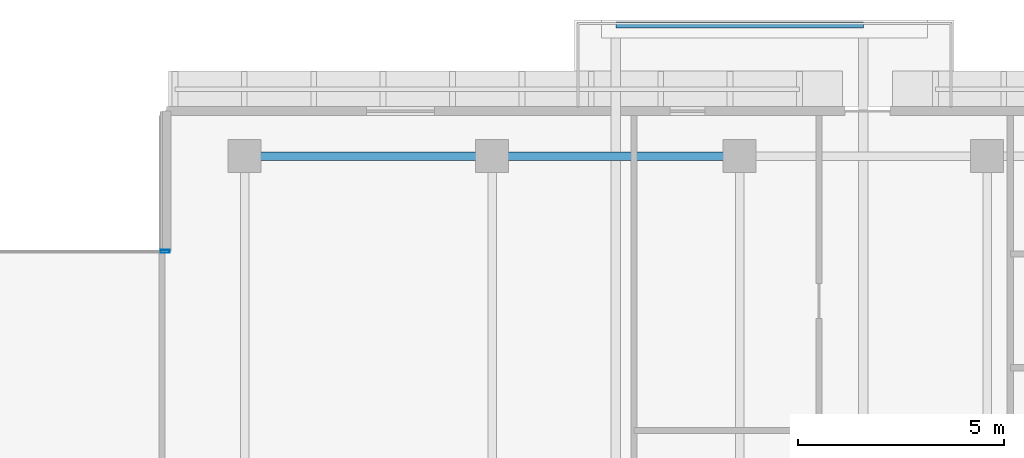
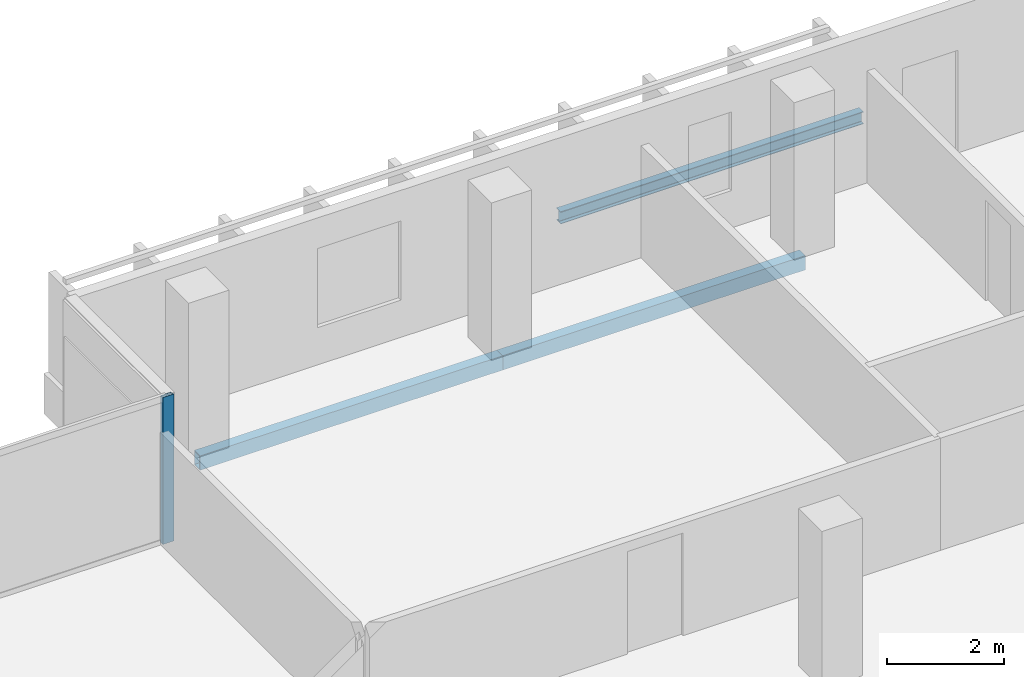
# One storey, part 8 of 22: 3 beams, 1 member, 1 element without a shape of its own.
"""IFC4 building model written with IfcOpenShell, lengths in metres."""

from ifc_helpers import new_model, si_unit, direction, frame, origin, origin_2d, place, context, subcontext, project, spatial, hollow_rectangle, i_section, extrude, material, layer, layer_set, material_profile, profile_set, type_object, element, aggregate, save


model = new_model("IFC4")

# Units and contexts
model_context = context("Model", 3, precision=1e-05, world=origin(), true_north=direction((0.0, 1.0)))
body_context = subcontext(model_context, "Body", "Model", "MODEL_VIEW")
ifc_project = project(units=[si_unit("LENGTHUNIT", "METRE"), si_unit("AREAUNIT", "SQUARE_METRE"), si_unit("VOLUMEUNIT", "CUBIC_METRE"), si_unit("PLANEANGLEUNIT", "RADIAN"), si_unit("MASSUNIT", "GRAM", prefix="KILO")], contexts=[model_context])

# Site, building, storey
site_placement = place(None, origin())
site = spatial("IfcSite", under=ifc_project, at=site_placement, CompositionType="ELEMENT")
building_placement = place(site_placement, origin())
building = spatial("IfcBuilding", under=site, at=building_placement, Name="Tanjung Sevakor Pilgrim Tower", CompositionType="ELEMENT")
storey_placement = place(building_placement, frame((0.0, 0.0, 195.030029296875)))
storey = spatial("IfcBuildingStorey", under=building, at=storey_placement, Name="L54", CompositionType="ELEMENT", Elevation=195.030029296875)

# Beams
ifc_material_1 = material(Name="Steel S355J2", Category="steel")
ifc_material_profile_1 = material_profile(ifc_material_1, i_section(OverallWidth=0.146484375, OverallDepth=0.256103515625, WebThickness=0.00634765625, FlangeThickness=0.010986328125, FilletRadius=0.007568359375, at=origin_2d()))
ifc_profile_set_1 = profile_set([ifc_material_profile_1], Name="Steel S355J2")
beam_type_1 = type_object("IfcBeamType", Name="BM-B-J6-UB_254x146x37", PredefinedType="JOIST", material=ifc_profile_set_1)
beam_placement = place(storey_placement, frame((63.0, 57.1298828125, -0.328125), z_axis=(1.0, 0.0, 0.0), x_axis=(0.0, 1.0, 0.0)))
element("IfcBeam", 1, at=beam_placement, inside=storey, type_object=beam_type_1, Name="L54 Balcony Rim Tie MAIN-N2", PredefinedType="JOIST", context=body_context, shape_type="SweptSolid", body=[
    extrude(i_section(OverallWidth=0.146484375, OverallDepth=0.256103515625, WebThickness=0.00634765625, FlangeThickness=0.010986328125, FilletRadius=0.007568359375, at=origin_2d()), origin(), (0.0, 0.0, 1.0), 6.0),
])
ifc_material_2 = material(Name="Steel S355J2", Category="steel")
ifc_material_profile_2 = material_profile(ifc_material_2, hollow_rectangle(XDim=0.199951171875, YDim=0.300048828125, WallThickness=0.012451171875, at=origin_2d()))
ifc_profile_set_2 = profile_set([ifc_material_profile_2], Name="Steel S355J2")
beam_type_2 = type_object("IfcBeamType", Name="BM-B-SP3-RHS_300x200x12.5", PredefinedType="SPANDREL", material=ifc_profile_set_2)
for number, where, z_axis, x_axis, name in (
    (2, (54.0, 53.949951171875, -0.3701171875), (1.0, 0.0, 0.0), (0.0, 1.0, 0.0), "L54 Spandrel MAIN N-06"),
    (3, (60.0, 53.949951171875, -0.3701171875), (1.0, 0.0, 0.0), (0.0, 1.0, 0.0), "L54 Spandrel MAIN N-08"),
):
    element("IfcBeam", number, at=place(storey_placement, frame(where, z_axis=z_axis, x_axis=x_axis)), inside=storey, type_object=beam_type_2, Name=name, PredefinedType="SPANDREL", context=body_context, shape_type="SweptSolid", body=[
        extrude(hollow_rectangle(XDim=0.199951171875, YDim=0.300048828125, WallThickness=0.012451171875, at=origin_2d()), origin(), (0.0, 0.0, 1.0), 6.0),
    ])

# Curtain wall, member
ifc_material_3 = material(Name="Aluminium 6063-T6 and Low-E Glass", Category="aluminium")
ifc_layer = layer(ifc_material_3, 0.179931640625)
ifc_layer_set = layer_set([ifc_layer], Name="CW-SYS-CLEFT")
curtain_wall_type = type_object("IfcCurtainWallType", Name="CW-SYS-CLEFT", PredefinedType="NOTDEFINED", material=ifc_layer_set)
curtain_wall_placement = place(storey_placement, origin())
curtain_wall = element("IfcCurtainWall", 4, at=curtain_wall_placement, inside=storey, type_object=curtain_wall_type, Name="L54 Curtain Wall CW-CLF-L54-10", PredefinedType="NOTDEFINED")
ifc_material_4 = material(Name="Aluminium 6063-T6", Category="aluminium")
ifc_material_profile_3 = material_profile(ifc_material_4, hollow_rectangle(XDim=0.074951171875, YDim=0.219970703125, WallThickness=0.0048828125, at=origin_2d()))
ifc_profile_set_3 = profile_set([ifc_material_profile_3], Name="Aluminium 6063-T6")
member_type = type_object("IfcMemberType", Name="TYPE-CWM-2", PredefinedType="MULLION", material=ifc_profile_set_3)
member_placement = place(storey_placement, frame((52.072509765625, 51.639892578125, 0.0), z_axis=(0.0, 0.0, 1.0), x_axis=(0.0, -1.0, 0.0)))
member = element("IfcMember", 5, at=member_placement, type_object=member_type, Name="CW-CLF mullion 1", PredefinedType="MULLION", context=body_context, shape_type="SweptSolid", body=[
    extrude(hollow_rectangle(XDim=0.074951171875, YDim=0.219970703125, WallThickness=0.0048828125, at=origin_2d()), origin(), (0.0, 0.0, 1.0), 3.080078125),
])
aggregate(curtain_wall, [member])

save(model, "model.ifc")
